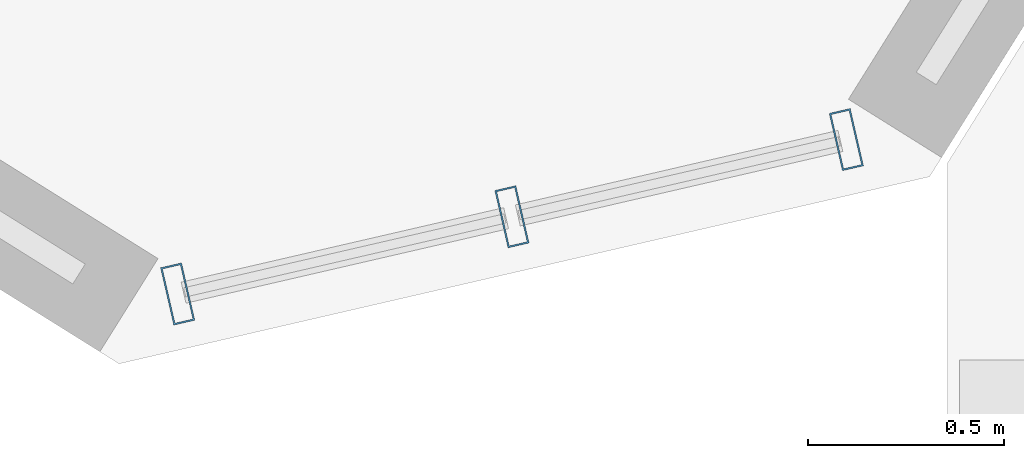
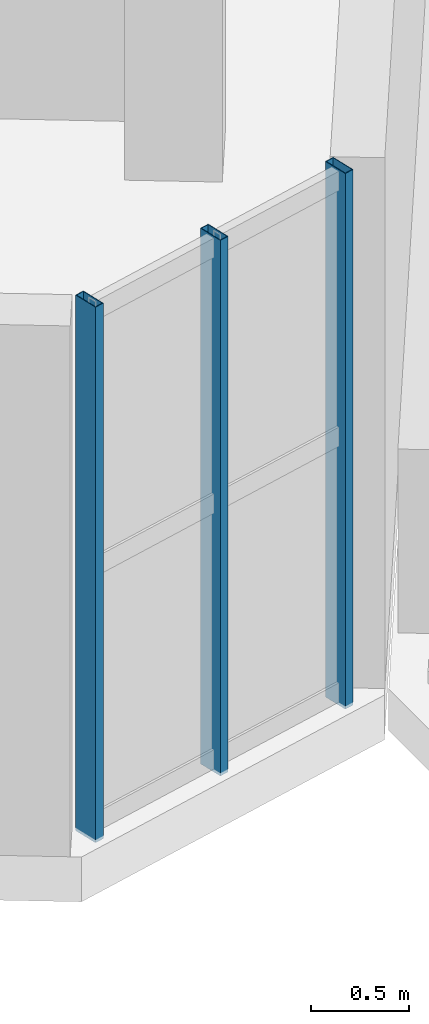
# One storey, part 2 of 8: 3 members, 1 element without a shape of its own.
"""IFC4 building model written with IfcOpenShell, lengths in metres."""

from ifc_helpers import new_model, si_unit, direction, frame, origin, origin_2d, place, context, subcontext, project, spatial, hollow_rectangle, extrude, source, transform, mapped, material, material_profile, profile_set, type_object, element, aggregate, save


model = new_model("IFC4")

# Units and contexts
model_context = context("Model", 3, precision=1e-05, world=origin(), true_north=direction((0.0, 1.0)))
body_context = subcontext(model_context, "Body", "Model", "MODEL_VIEW")
ifc_project = project(units=[si_unit("LENGTHUNIT", "METRE"), si_unit("AREAUNIT", "SQUARE_METRE"), si_unit("VOLUMEUNIT", "CUBIC_METRE"), si_unit("PLANEANGLEUNIT", "RADIAN"), si_unit("MASSUNIT", "GRAM", prefix="KILO")], contexts=[model_context])

# Site, building, storey
site_placement = place(None, origin())
site = spatial("IfcSite", under=ifc_project, at=site_placement, CompositionType="ELEMENT")
building_placement = place(site_placement, origin())
building = spatial("IfcBuilding", under=site, at=building_placement, Name="Tlacorven Tower", CompositionType="ELEMENT")
storey_placement = place(building_placement, frame((0.0, 0.0, 298.800048828125)))
storey = spatial("IfcBuildingStorey", under=building, at=storey_placement, Name="L76", CompositionType="ELEMENT", Elevation=298.800048828125)

# Curtain wall, members
ifc_material_1 = material(Name="Dark solar low-E double glazing in aluminium frame", Category="aluminium")
curtain_wall_type = type_object("IfcCurtainWallType", Name="CW-CRN-LANTERN", PredefinedType="USERDEFINED", material=ifc_material_1)
curtain_wall_placement = place(storey_placement, origin())
curtain_wall = element("IfcCurtainWall", 1, at=curtain_wall_placement, inside=storey, type_object=curtain_wall_type, Name="L76 CW-CRN-LANTERN Curtain Wall 355", ObjectType="UNITISED CURTAIN WALL", PredefinedType="USERDEFINED")
ifc_material_2 = material(Name="Aluminium 6063-T6 anodised", Category="aluminium")
ifc_material_profile = material_profile(ifc_material_2, hollow_rectangle(XDim=0.054931640625, YDim=0.14990234375, WallThickness=0.00390625, at=origin_2d()), Name="ALU MULLION 55X150")
ifc_profile_set = profile_set([ifc_material_profile], Name="Aluminium 6063-T6 anodised")
member_type = type_object("IfcMemberType", Name="CWM-04", PredefinedType="MULLION", material=ifc_profile_set)
shared_shape = source(origin(), body_context, "Body", "SweptSolid", [
    extrude(hollow_rectangle(XDim=0.054931640625, YDim=0.14990234375, WallThickness=0.00390625, at=origin_2d()), origin(), (0.0, 0.0, 1.0), 3.349853515625),
])
member_1_placement = place(storey_placement, frame((31.341796875, 7.453857421875, -0.02001953125), z_axis=(0.0, 0.0, 1.0), x_axis=(-0.97437037555, -0.22494970827, 0.0)))
member_1 = element("IfcMember", 2, at=member_1_placement, type_object=member_type, Name="CW-L76-355 Mullion 1", PredefinedType="MULLION", context=body_context, shape_type="MappedRepresentation", body=[
    mapped(shared_shape, transform((0.0, 0.0, 0.0), scale=1.0)),
])
member_2_placement = place(storey_placement, frame((30.489013671875, 7.257080078125, -0.02001953125), z_axis=(0.0, 0.0, 1.0), x_axis=(-0.97437037555, -0.22494970827, 0.0)))
member_2 = element("IfcMember", 3, at=member_2_placement, type_object=member_type, Name="CW-L76-355 Mullion 2", PredefinedType="MULLION", context=body_context, shape_type="MappedRepresentation", body=[
    mapped(shared_shape, transform((0.0, 0.0, 0.0), scale=1.0)),
])
member_3_placement = place(storey_placement, frame((29.636474609375, 7.06005859375, -0.02001953125), z_axis=(0.0, 0.0, 1.0), x_axis=(-0.97437037555, -0.22494970827, 0.0)))
member_3 = element("IfcMember", 4, at=member_3_placement, type_object=member_type, Name="CW-L76-355 Mullion 3", PredefinedType="MULLION", context=body_context, shape_type="MappedRepresentation", body=[
    mapped(shared_shape, transform((0.0, 0.0, 0.0), scale=1.0)),
])
aggregate(curtain_wall, [member_1, member_2, member_3])

save(model, "model.ifc")
